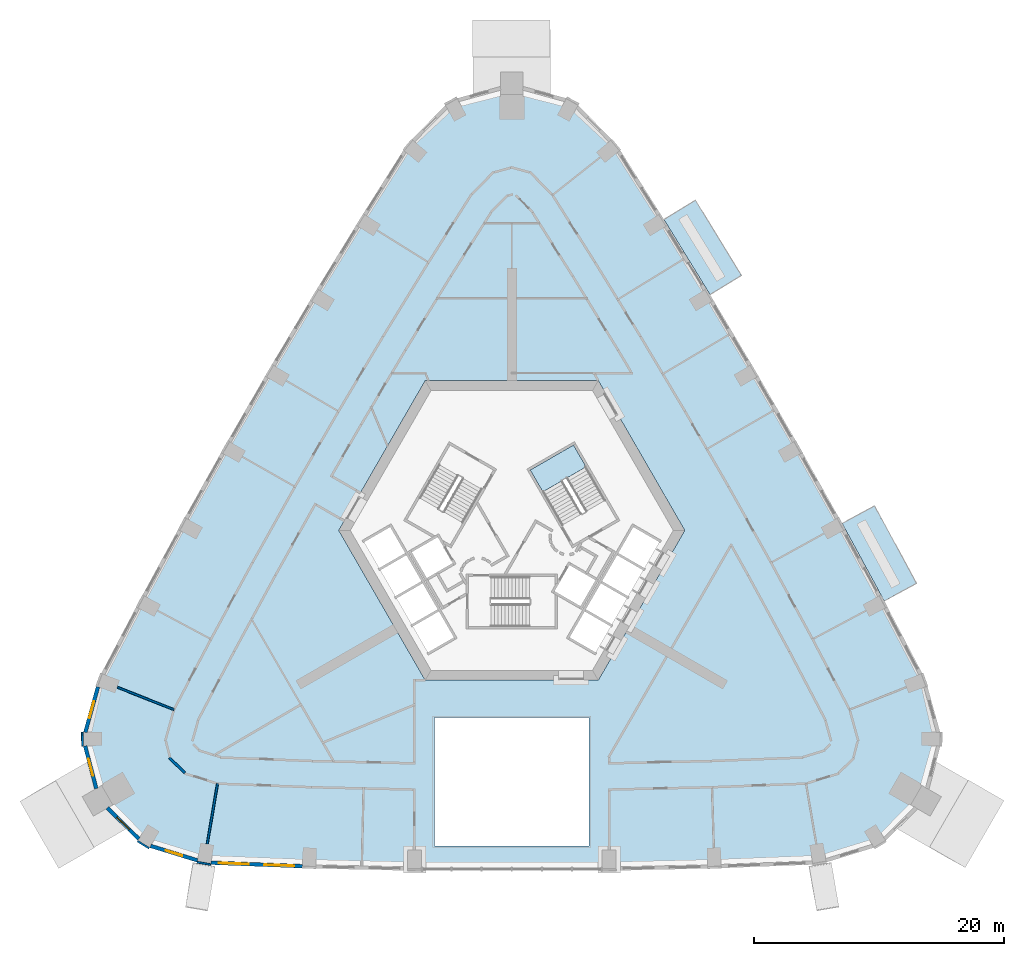
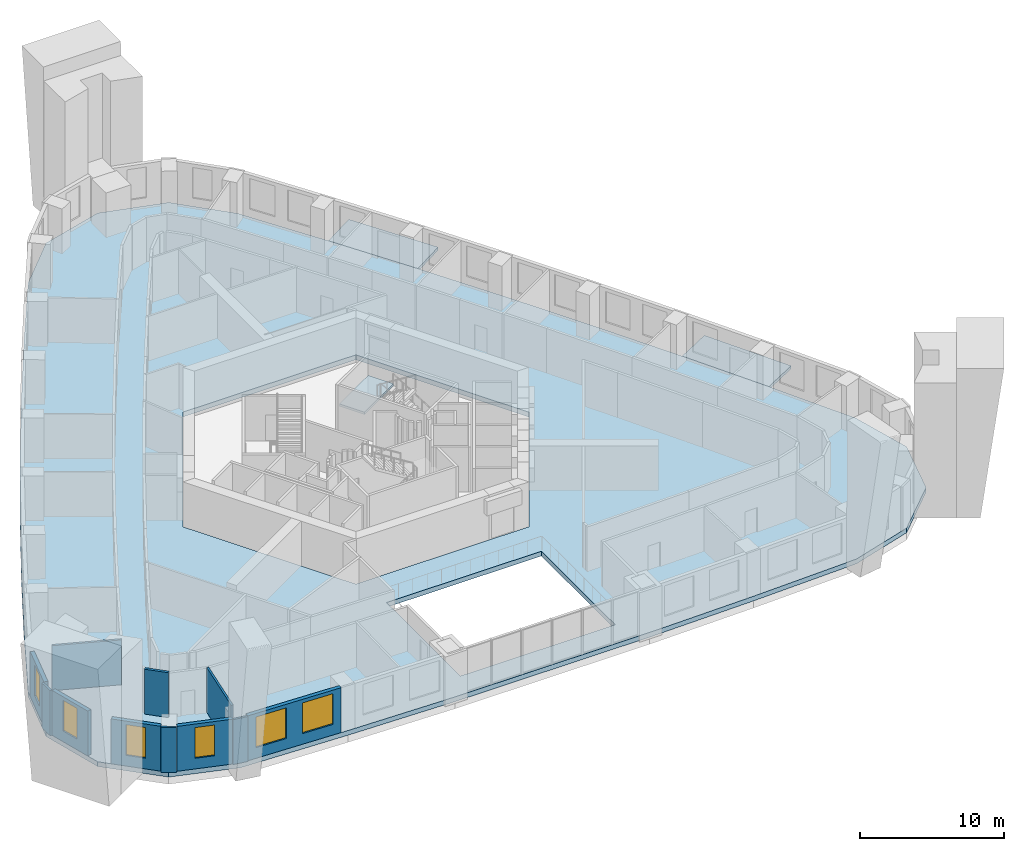
# One storey, part 3 of 15: 11 walls, 6 windows, 4 slabs, 6 openings, 1 element without a shape of its own.
"""IFC4 building model written with IfcOpenShell, lengths in metres."""

import ifcopenshell
import ifcopenshell.guid

model = None  # the IFC model being written
_history = None  # IfcOwnerHistory: only IFC2X3 demands one
_inside = {}  # id of a spatial element -> (the spatial element, [elements in it])
_under = {}  # id of a project, library or spatial element -> (it, [spatial elements below it])
_declared = {}  # id of a project -> (the project, [libraries it declares])
_typed = {}  # id of a type object -> (the type object, [elements of that type])
_made_of = {}  # id of a material, layer set ... -> (it, [elements and type objects made of it])


def new_model(schema):
    """Start an empty IFC model of exactly this schema.

    Asked for "IFC4X3", IfcOpenShell would pick the latest addendum, in which some entities
    have other attributes; the version numbers below select the first issue.
    IFC2X3 requires an IfcOwnerHistory on every rooted entity: one is made here for all.
    """
    global model, _history
    if schema == "IFC4X3":
        model = ifcopenshell.file(schema_version=(4, 3, 0, 0))
    else:
        model = ifcopenshell.file(schema=schema)
    _inside.clear()
    _under.clear()
    _declared.clear()
    _typed.clear()
    _made_of.clear()
    _history = None
    if model.schema == "IFC2X3":
        org = make("IfcOrganization", Name="unknown")
        user = make(
            "IfcPersonAndOrganization",
            ThePerson=make("IfcPerson", FamilyName="unknown"),
            TheOrganization=org,
        )
        app = make(
            "IfcApplication",
            ApplicationDeveloper=org,
            Version="unknown",
            ApplicationFullName="unknown",
            ApplicationIdentifier="unknown",
        )
        _history = make(
            "IfcOwnerHistory",
            OwningUser=user,
            OwningApplication=app,
            ChangeAction="ADDED",
            CreationDate=0,
        )
    return model


def make(cls, **values):
    """One entity of the class cls with the attributes given. An attribute that is None is left unset."""
    return model.create_entity(
        cls, **{name: value for name, value in values.items() if value is not None}
    )


def rooted(cls, **values):
    """An entity with a GlobalId (a new one), such as an element, a storey or a relation."""
    return make(cls, GlobalId=ifcopenshell.guid.new(), OwnerHistory=_history, **values)


def si_unit(unit_type, name, prefix=None):
    """IfcSIUnit, for example si_unit("LENGTHUNIT", "METRE", prefix="MILLI")."""
    return make("IfcSIUnit", UnitType=unit_type, Prefix=prefix, Name=name)


def assignment(units):
    """IfcUnitAssignment: the units of a project."""
    return None if units is None else make("IfcUnitAssignment", Units=units)


def point(xyz):
    """IfcCartesianPoint."""
    return None if xyz is None else make("IfcCartesianPoint", Coordinates=xyz)


def direction(xyz):
    """IfcDirection."""
    return None if xyz is None else make("IfcDirection", DirectionRatios=xyz)


def frame(location, z_axis=None, x_axis=None):
    """IfcAxis2Placement3D, a coordinate frame: its origin and axes. An axis left out is left unset."""
    return make(
        "IfcAxis2Placement3D",
        Location=point(location),
        Axis=direction(z_axis),
        RefDirection=direction(x_axis),
    )


def frame_2d(location, x_axis=None):
    """IfcAxis2Placement2D, a coordinate frame in the plane: its origin and x axis."""
    return make(
        "IfcAxis2Placement2D", Location=point(location), RefDirection=direction(x_axis)
    )


def origin():
    """The frame at (0, 0, 0) with its axes left unset."""
    return frame((0.0, 0.0, 0.0))


def place(relative_to, where):
    """IfcLocalPlacement: puts the frame where relative to a parent placement (None: the world)."""
    return make(
        "IfcLocalPlacement", PlacementRelTo=relative_to, RelativePlacement=where
    )


def context(
    kind, dimensions, precision=None, world=None, true_north=None, identifier=None
):
    """IfcGeometricRepresentationContext, for example the 3D "Model" context."""
    return make(
        "IfcGeometricRepresentationContext",
        ContextIdentifier=identifier,
        ContextType=kind,
        CoordinateSpaceDimension=dimensions,
        Precision=precision,
        WorldCoordinateSystem=world,
        TrueNorth=true_north,
    )


def subcontext(parent, identifier, kind, view, scale=None):
    """IfcGeometricRepresentationSubContext, for example "Body" below "Model"."""
    return make(
        "IfcGeometricRepresentationSubContext",
        ContextIdentifier=identifier,
        ContextType=kind,
        ParentContext=parent,
        TargetScale=scale,
        TargetView=view,
    )


def project(units=None, contexts=None):
    """IfcProject with its units and contexts."""
    return rooted(
        "IfcProject",
        Name="project",
        RepresentationContexts=contexts,
        UnitsInContext=assignment(units),
    )


def spatial(cls, under=None, at=None, **own):
    """A site, building, storey or space (cls), placed at a placement, below another one or the project."""
    s = rooted(cls, ObjectPlacement=at, **own)
    if under is not None:
        _under.setdefault(under.id(), (under, []))[1].append(s)
    return s


def polyline(points):
    """IfcPolyline through the points."""
    return make("IfcPolyline", Points=[point(p) for p in points])


def profile(cls, at=None, kind="AREA", **sizes):
    """A parametric profile (cls). Its sizes go by their IFC names, for example OverallWidth=200.0."""
    return make(cls, ProfileType=kind, Position=at, **sizes)


def rectangle(**sizes):
    """IfcRectangleProfileDef."""
    return profile("IfcRectangleProfileDef", **sizes)


def outline(outer, holes=None, kind="AREA"):
    """IfcArbitraryClosedProfileDef: a profile drawn as a closed curve; with holes, ...WithVoids."""
    if holes is None:
        return make("IfcArbitraryClosedProfileDef", ProfileType=kind, OuterCurve=outer)
    return make(
        "IfcArbitraryProfileDefWithVoids",
        ProfileType=kind,
        OuterCurve=outer,
        InnerCurves=holes,
    )


def extrude(swept, where, along, depth):
    """IfcExtrudedAreaSolid: the profile swept, set in the frame where, extruded along a direction by depth."""
    return make(
        "IfcExtrudedAreaSolid",
        SweptArea=swept,
        Position=where,
        ExtrudedDirection=direction(along),
        Depth=depth,
    )


def shape(context_of_items, identifier, shape_type, items):
    """IfcShapeRepresentation: the items that make up one representation, for example the "Body"."""
    return make(
        "IfcShapeRepresentation",
        ContextOfItems=context_of_items,
        RepresentationIdentifier=identifier,
        RepresentationType=shape_type,
        Items=items,
    )


def material(Name=None, Category=None):
    """IfcMaterial."""
    return make("IfcMaterial", Name=Name, Category=Category)


def layer(
    of_material, thickness, ventilated=None, Name=None, Category=None, Priority=None
):
    """IfcMaterialLayer: one layer of a wall or slab, of a material (None: an air gap)."""
    return make(
        "IfcMaterialLayer",
        Material=of_material,
        LayerThickness=thickness,
        IsVentilated=ventilated,
        Name=Name,
        Category=Category,
        Priority=Priority,
    )


def layer_set(layers, Name=None):
    """IfcMaterialLayerSet."""
    return make("IfcMaterialLayerSet", MaterialLayers=layers, LayerSetName=Name)


def made_of(thing, what):
    """Note that an element or type object is made of a material, layer set ...; save() writes the relation."""
    if what is not None:
        _made_of.setdefault(what.id(), (what, []))[1].append(thing)
    return thing


def type_object(cls, material=None, **own):
    """A type object (cls), such as IfcWallType, which elements share."""
    return made_of(rooted(cls, **own), material)


def element(
    cls,
    number,
    at=None,
    inside=None,
    cuts=None,
    type_object=None,
    material=None,
    context=None,
    identifier="Body",
    shape_type=None,
    held_by="IfcProductDefinitionShape",
    body=None,
    shapes=None,
    **own,
):
    """One element of the class cls, such as IfcWall. Its Tag is "e" and its number.

    at: its placement. inside: the storey or other place that contains it. cuts: it is an
    opening in that element (IfcRelVoidsElement). A single representation is given by context,
    identifier, shape_type and body (its items); several are given by shapes. held_by: the class
    of the entity that holds the representations. save() writes the other relations.
    """
    e = rooted(cls, Tag="e%d" % number, ObjectPlacement=at, **own)
    if body is not None:
        shapes = [shape(context, identifier, shape_type, body)]
    if shapes is not None:
        e.Representation = make(held_by, Representations=shapes)
    if inside is not None:
        _inside.setdefault(inside.id(), (inside, []))[1].append(e)
    if cuts is not None:
        rooted(
            "IfcRelVoidsElement", RelatingBuildingElement=cuts, RelatedOpeningElement=e
        )
    if type_object is not None:
        _typed.setdefault(type_object.id(), (type_object, []))[1].append(e)
    return made_of(e, material)


def fill(opening, filler):
    """IfcRelFillsElement: the door or window that sits in an opening."""
    return rooted(
        "IfcRelFillsElement",
        RelatingOpeningElement=opening,
        RelatedBuildingElement=filler,
    )


def aggregate(whole, parts):
    """IfcRelAggregates: a whole, such as a stair, and the parts it consists of."""
    return rooted("IfcRelAggregates", RelatingObject=whole, RelatedObjects=parts)


def save(model, path):
    """Write the relations noted so far, then the file.

    IfcRelAggregates (storeys below a building ...), IfcRelContainedInSpatialStructure (elements
    in a storey), IfcRelDefinesByType, IfcRelAssociatesMaterial and IfcRelDeclares: one each for
    every whole, place, type object, material and project.
    """
    for whole, parts in _under.values():
        aggregate(whole, parts)
    for where, things in _inside.values():
        rooted(
            "IfcRelContainedInSpatialStructure",
            RelatedElements=things,
            RelatingStructure=where,
        )
    for kind, things in _typed.values():
        rooted("IfcRelDefinesByType", RelatedObjects=things, RelatingType=kind)
    for what, things in _made_of.values():
        rooted("IfcRelAssociatesMaterial", RelatedObjects=things, RelatingMaterial=what)
    for by, libraries in _declared.values():
        rooted("IfcRelDeclares", RelatingContext=by, RelatedDefinitions=libraries)
    model.write(path)


model = new_model("IFC4")

# Units and contexts
model_context = context("Model", 3, precision=1e-05, world=origin(), true_north=direction((0.0, 1.0)))
body_context = subcontext(model_context, "Body", "Model", "MODEL_VIEW")
ifc_project = project(units=[si_unit("LENGTHUNIT", "METRE"), si_unit("AREAUNIT", "SQUARE_METRE"), si_unit("VOLUMEUNIT", "CUBIC_METRE"), si_unit("PLANEANGLEUNIT", "RADIAN"), si_unit("MASSUNIT", "GRAM", prefix="KILO")], contexts=[model_context])

# Site, building, storey
site_placement = place(None, origin())
site = spatial("IfcSite", under=ifc_project, at=site_placement, CompositionType="ELEMENT")
building_placement = place(site_placement, origin())
building = spatial("IfcBuilding", under=site, at=building_placement, Name="Entoto Arch Interchange Tower", CompositionType="ELEMENT")
storey_placement = place(building_placement, frame((0.0, 0.0, 150.800048828125)))
storey = spatial("IfcBuildingStorey", under=building, at=storey_placement, Name="L33", CompositionType="ELEMENT", Elevation=150.800048828125)

# Slabs
ifc_material_1 = material(Name="Board-marked precast concrete C50/60", Category="concrete")
ifc_layer_1 = layer(ifc_material_1, 0.25)
ifc_layer_set_1 = layer_set([ifc_layer_1], Name="Board-marked precast concrete C50/60")
slab_type_1 = type_object("IfcSlabType", Name="BALCONY DECK PRECAST 250", PredefinedType="FLOOR", material=ifc_layer_set_1)
slab_1_placement = place(storey_placement, frame((0.0, 0.0, -0.25)))
element("IfcSlab", 1, at=slab_1_placement, inside=storey, type_object=slab_type_1, Name="Planted balcony NE-02 L33", PredefinedType="FLOOR", context=body_context, shape_type="SweptSolid", body=[
    extrude(outline(polyline([(29.827880859375, -3.14794921875), (26.4619140625, 3.055908203125), (29.054931640625, 4.462890625), (32.4208984375, -1.740966796875), (29.827880859375, -3.14794921875)])), origin(), (0.0, 0.0, 1.0), 0.25),
])
slab_2_placement = place(storey_placement, frame((0.0, 0.0, -0.25)))
element("IfcSlab", 2, at=slab_2_placement, inside=storey, type_object=slab_type_1, Name="Planted balcony NE-06 L33", PredefinedType="FLOOR", context=body_context, shape_type="SweptSolid", body=[
    extrude(outline(polyline([(15.876953125, 21.388916015625), (12.18798828125, 27.405029296875), (14.702880859375, 28.947021484375), (18.39208984375, 22.930908203125), (15.876953125, 21.388916015625)])), origin(), (0.0, 0.0, 1.0), 0.25),
])

# Stair, slab
ifc_material_2 = material(Name="Concrete C40/50", Category="concrete")
stair_type = type_object("IfcStairType", Name="EXIT STAIR RC 1800", PredefinedType="HALF_TURN_STAIR", material=ifc_material_2)
stair_placement = place(storey_placement, origin())
stair = element("IfcStair", 3, at=stair_placement, inside=storey, type_object=stair_type, Name="L33 Exit stair NE", PredefinedType="HALF_TURN_STAIR")
ifc_layer_2 = layer(ifc_material_2, 0.199951171875)
ifc_layer_set_2 = layer_set([ifc_layer_2], Name="Concrete C40/50")
slab_type_2 = type_object("IfcSlabType", Name="EXIT STAIR LANDING RC 200", PredefinedType="LANDING", material=ifc_layer_set_2)
slab_3_placement = place(storey_placement, frame((0.0, 0.0, 1.89990234375)))
slab_3 = element("IfcSlab", 4, at=slab_3_placement, type_object=slab_type_2, Name="ST-NE landing 1", PredefinedType="LANDING", context=body_context, shape_type="SweptSolid", body=[
    extrude(outline(polyline([(5.953369140625, 7.58837890625), (4.943359375, 9.337890625), (1.479248046875, 7.337890625), (2.4892578125, 5.58837890625), (5.953369140625, 7.58837890625)])), origin(), (0.0, 0.0, 1.0), 0.199951171875),
])
aggregate(stair, [slab_3])

# Slab
ifc_layer_3 = layer(ifc_material_2, 0.39990234375)
ifc_layer_set_3 = layer_set([ifc_layer_3], Name="Concrete C40/50")
slab_type_3 = type_object("IfcSlabType", Name="Post-tensioned flat plate 400 C40/50", PredefinedType="FLOOR", material=ifc_layer_set_3)
slab_4_placement = place(storey_placement, frame((0.0, 0.0, -0.400146484375)))
element("IfcSlab", 5, at=slab_4_placement, inside=storey, type_object=slab_type_3, Name="Floor slab L33", PredefinedType="FLOOR", context=body_context, shape_type="SweptSolid", body=[
    extrude(outline(polyline([(-24.6689453125, -24.241943359375), (-16.23388671875, -24.56591796875), (-7.800048828125, -24.757080078125), (7.800048828125, -24.757080078125), (16.23388671875, -24.56591796875), (24.6689453125, -24.241943359375), (29.551025390625, -22.735107421875), (33.179931640625, -19.156005859375), (34.465087890625, -14.22412109375), (33.135986328125, -9.446044921875), (29.827880859375, -3.14794921875), (26.4619140625, 3.055908203125), (23.014892578125, 9.214111328125), (19.486083984375, 15.324951171875), (15.876953125, 21.388916015625), (12.18798828125, 27.405029296875), (8.386962890625, 33.419921875), (4.9140625, 36.958984375), (0.0, 38.31201171875), (-4.9140625, 36.958984375), (-8.386962890625, 33.419921875), (-12.18798828125, 27.405029296875), (-15.876953125, 21.388916015625), (-19.486083984375, 15.324951171875), (-23.014892578125, 9.214111328125), (-26.4619140625, 3.055908203125), (-29.827880859375, -3.14794921875), (-33.135986328125, -9.446044921875), (-34.465087890625, -14.22412109375), (-33.179931640625, -19.156005859375), (-29.551025390625, -22.735107421875), (-24.6689453125, -24.241943359375)]), holes=[polyline([(6.199951171875, -22.757080078125), (6.199951171875, -12.5), (-6.199951171875, -12.5), (-6.199951171875, -22.757080078125), (6.199951171875, -22.757080078125)]), polyline([(13.85595703125, 2.5), (6.927978515625, 14.5), (-6.927978515625, 14.5), (-13.85595703125, 2.5), (-6.927978515625, -9.5), (6.927978515625, -9.5), (13.85595703125, 2.5)])]), origin(), (0.0, 0.0, 1.0), 0.400146484375),
])

# Walls
ifc_material_3 = material(Name="Gypsum board partition on steel studs", Category="steel")
ifc_layer_4 = layer(ifc_material_3, 0.14990234375)
ifc_layer_set_4 = layer_set([ifc_layer_4], Name="Gypsum board partition on steel studs")
wall_type_1 = type_object("IfcWallType", Name="PARTITION 150", PredefinedType="PARTITIONING", material=ifc_layer_set_4)
wall_1_placement = place(storey_placement, frame((-27.05908203125, -11.85498046875, 0.0), z_axis=(0.0, 0.0, 1.0), x_axis=(-0.92964843089, 0.368447818481, 0.0)))
element("IfcWall", 6, at=wall_1_placement, inside=storey, type_object=wall_type_1, Name="wall:L33:p136", PredefinedType="PARTITIONING", context=body_context, shape_type="SweptSolid", body=[
    extrude(rectangle(XDim=4.8662109375, YDim=0.14990234375, at=frame_2d((2.43310546875, 0.0))), origin(), (0.0, 0.0, 1.0), 3.800048828125),
])
wall_2_placement = place(storey_placement, frame((-23.56689453125, -17.779052734375, 0.0), z_axis=(0.0, 0.0, 1.0), x_axis=(-0.168027663896, -0.985782280306, 0.0)))
element("IfcWall", 7, at=wall_2_placement, inside=storey, type_object=wall_type_1, Name="wall:L33:p137", PredefinedType="PARTITIONING", context=body_context, shape_type="SweptSolid", body=[
    extrude(rectangle(XDim=4.886474609375, YDim=0.14990234375, at=frame_2d((2.443359375, 0.0))), origin(), (0.0, 0.0, 1.0), 3.800048828125),
])
ifc_layer_5 = layer(ifc_material_3, 0.199951171875)
ifc_layer_set_5 = layer_set([ifc_layer_5], Name="Gypsum board partition on steel studs")
wall_type_2 = type_object("IfcWallType", Name="PARTITION 200", PredefinedType="PARTITIONING", material=ifc_layer_set_5)
wall_3_placement = place(storey_placement, frame((-26.18798828125, -16.922119140625, 0.0), z_axis=(0.0, 0.0, 1.0), x_axis=(-0.712339678389, 0.701834868465, 0.0)))
element("IfcWall", 8, at=wall_3_placement, inside=storey, type_object=wall_type_2, Name="wall:L33:p068", PredefinedType="PARTITIONING", context=body_context, shape_type="SweptSolid", body=[
    extrude(rectangle(XDim=1.7197265625, YDim=0.199951171875, at=frame_2d((0.85986328125, 0.0))), origin(), (0.0, 0.0, 1.0), 3.800048828125),
])

# Wall, openings, windows
ifc_material_4 = material(Name="Welded tuff (ignimbrite) cladding, warm buff", Category="masonry")
ifc_layer_6 = layer(ifc_material_4, 0.300048828125)
ifc_layer_set_6 = layer_set([ifc_layer_6], Name="Welded tuff (ignimbrite) cladding, warm buff")
wall_type_3 = type_object("IfcWallType", Name="STONE INFILL WALL 300", PredefinedType="STANDARD", material=ifc_layer_set_6)
wall_4_placement = place(storey_placement, frame((-24.090087890625, -24.114013671875, 0.0), z_axis=(0.0, 0.0, 1.0), x_axis=(0.999262356942, -0.038402369711, 0.0)))
wall_4 = element("IfcWall", 9, at=wall_4_placement, inside=storey, type_object=wall_type_3, Name="Facade wall S-01 L33", PredefinedType="STANDARD", context=body_context, shape_type="SweptSolid", body=[
    extrude(rectangle(XDim=7.3173828125, YDim=0.300048828125, at=frame_2d((3.65869140625, 0.0))), origin(), (0.0, 0.0, 1.0), 3.800048828125),
])
opening_1_placement = place(wall_4_placement, frame((0.62890625, 0.0, 0.89990234375)))
opening_1 = element("IfcOpeningElement", 10, at=opening_1_placement, cuts=wall_4, Name="Opening WO-A", PredefinedType="OPENING", context=body_context, shape_type="SweptSolid", body=[
    extrude(rectangle(XDim=2.39990234375, YDim=2.60009765625, at=frame_2d((1.199951171875, 1.300048828125))), frame((0.0, 0.16015625, 0.0), z_axis=(0.0, -1.0, 0.0), x_axis=(1.0, 0.0, 0.0)), (0.0, 0.0, 1.0), 0.320068359375),
])
opening_2_placement = place(wall_4_placement, frame((4.2880859375, 0.0, 0.89990234375)))
opening_2 = element("IfcOpeningElement", 11, at=opening_2_placement, cuts=wall_4, Name="Opening WO-A", PredefinedType="OPENING", context=body_context, shape_type="SweptSolid", body=[
    extrude(rectangle(XDim=2.39990234375, YDim=2.60009765625, at=frame_2d((1.199951171875, 1.300048828125))), frame((0.0, 0.16015625, 0.0), z_axis=(0.0, -1.0, 0.0), x_axis=(1.0, 0.0, 0.0)), (0.0, 0.0, 1.0), 0.320068359375),
])
ifc_material_5 = material(Name="Clear glass, low-e double glazed", Category="glass")
window_type_1 = type_object("IfcWindowType", Name="WINDOW WO-A 2400x2600", PartitioningType="DOUBLE_PANEL_VERTICAL", PredefinedType="WINDOW", material=ifc_material_5)
window_1_placement = place(opening_1_placement, origin())
window_1 = element("IfcWindow", 12, at=window_1_placement, inside=storey, type_object=window_type_1, Name="Window WO-A S-01 L33", OverallHeight=2.60009765625, OverallWidth=2.39990234375, PartitioningType="SINGLE_PANEL", PredefinedType="WINDOW", context=body_context, shape_type="SweptSolid", body=[
    extrude(rectangle(XDim=2.39990234375, YDim=2.60009765625, at=frame_2d((1.199951171875, 1.300048828125))), frame((0.0, 0.030029296875, 0.0), z_axis=(0.0, -1.0, 0.0), x_axis=(1.0, 0.0, 0.0)), (0.0, 0.0, 1.0), 0.06005859375),
])
fill(opening_1, window_1)
window_2_placement = place(opening_2_placement, origin())
window_2 = element("IfcWindow", 13, at=window_2_placement, inside=storey, type_object=window_type_1, Name="Window WO-A S-01 L33", OverallHeight=2.60009765625, OverallWidth=2.39990234375, PartitioningType="SINGLE_PANEL", PredefinedType="WINDOW", context=body_context, shape_type="SweptSolid", body=[
    extrude(rectangle(XDim=2.39990234375, YDim=2.60009765625, at=frame_2d((1.199951171875, 1.300048828125))), frame((0.0, 0.030029296875, 0.0), z_axis=(0.0, -1.0, 0.0), x_axis=(1.0, 0.0, 0.0)), (0.0, 0.0, 1.0), 0.06005859375),
])
fill(opening_2, window_2)

# Wall, opening, window
wall_5_placement = place(storey_placement, frame((-33.14208984375, -10.029052734375, 0.0), z_axis=(0.0, 0.0, 1.0), x_axis=(-0.26799398221, -0.963420585985, 0.0)))
wall_5 = element("IfcWall", 14, at=wall_5_placement, inside=storey, type_object=wall_type_3, Name="Facade wall SW-01 L33", PredefinedType="STANDARD", context=body_context, shape_type="SweptSolid", body=[
    extrude(rectangle(XDim=3.776123046875, YDim=0.300048828125, at=frame_2d((1.88818359375, 0.0))), origin(), (0.0, 0.0, 1.0), 3.800048828125),
])
opening_3_placement = place(wall_5_placement, frame((1.18798828125, 0.0, 0.89990234375)))
opening_3 = element("IfcOpeningElement", 15, at=opening_3_placement, cuts=wall_5, Name="Opening WO-B", PredefinedType="OPENING", context=body_context, shape_type="SweptSolid", body=[
    extrude(rectangle(XDim=1.39990234375, YDim=2.60009765625, at=frame_2d((0.699951171875, 1.300048828125))), frame((0.0, 0.16015625, 0.0), z_axis=(0.0, -1.0, 0.0), x_axis=(1.0, 0.0, 0.0)), (0.0, 0.0, 1.0), 0.320068359375),
])
window_type_2 = type_object("IfcWindowType", Name="WINDOW WO-B 1400x2600", PartitioningType="DOUBLE_PANEL_VERTICAL", PredefinedType="WINDOW", material=ifc_material_5)
window_3_placement = place(opening_3_placement, origin())
window_3 = element("IfcWindow", 16, at=window_3_placement, inside=storey, type_object=window_type_2, Name="Window WO-B SW-01 L33", OverallHeight=2.60009765625, OverallWidth=1.39990234375, PartitioningType="SINGLE_PANEL", PredefinedType="WINDOW", context=body_context, shape_type="SweptSolid", body=[
    extrude(rectangle(XDim=1.39990234375, YDim=2.60009765625, at=frame_2d((0.699951171875, 1.300048828125))), frame((0.0, 0.030029296875, 0.0), z_axis=(0.0, -1.0, 0.0), x_axis=(1.0, 0.0, 0.0)), (0.0, 0.0, 1.0), 0.06005859375),
])
fill(opening_3, window_3)

wall_6_placement = place(storey_placement, frame((-34.1689453125, -14.76611328125, 0.0), z_axis=(0.0, 0.0, 1.0), x_axis=(0.252255494168, -0.967660666588, 0.0)))
wall_6 = element("IfcWall", 17, at=wall_6_placement, inside=storey, type_object=wall_type_3, Name="Facade wall SW-02 L33", PredefinedType="STANDARD", context=body_context, shape_type="SweptSolid", body=[
    extrude(rectangle(XDim=3.52392578125, YDim=0.300048828125, at=frame_2d((1.761962890625, 0.0))), origin(), (0.0, 0.0, 1.0), 3.800048828125),
])
opening_4_placement = place(wall_6_placement, frame((1.06201171875, 0.0, 0.89990234375)))
opening_4 = element("IfcOpeningElement", 18, at=opening_4_placement, cuts=wall_6, Name="Opening WO-B", PredefinedType="OPENING", context=body_context, shape_type="SweptSolid", body=[
    extrude(rectangle(XDim=1.39990234375, YDim=2.60009765625, at=frame_2d((0.699951171875, 1.300048828125))), frame((0.0, 0.16015625, 0.0), z_axis=(0.0, -1.0, 0.0), x_axis=(1.0, 0.0, 0.0)), (0.0, 0.0, 1.0), 0.320068359375),
])
window_4_placement = place(opening_4_placement, origin())
window_4 = element("IfcWindow", 19, at=window_4_placement, inside=storey, type_object=window_type_2, Name="Window WO-B SW-02 L33", OverallHeight=2.60009765625, OverallWidth=1.39990234375, PartitioningType="SINGLE_PANEL", PredefinedType="WINDOW", context=body_context, shape_type="SweptSolid", body=[
    extrude(rectangle(XDim=1.39990234375, YDim=2.60009765625, at=frame_2d((0.699951171875, 1.300048828125))), frame((0.0, 0.030029296875, 0.0), z_axis=(0.0, -1.0, 0.0), x_axis=(1.0, 0.0, 0.0)), (0.0, 0.0, 1.0), 0.06005859375),
])
fill(opening_4, window_4)

wall_7_placement = place(storey_placement, frame((-32.381103515625, -19.73291015625, 0.0), z_axis=(0.0, 0.0, 1.0), x_axis=(0.712043314899, -0.702135540838, 0.0)))
wall_7 = element("IfcWall", 20, at=wall_7_placement, inside=storey, type_object=wall_type_3, Name="Facade wall SW-03 L33", PredefinedType="STANDARD", context=body_context, shape_type="SweptSolid", body=[
    extrude(rectangle(XDim=3.523681640625, YDim=0.300048828125, at=frame_2d((1.76171875, 0.0))), origin(), (0.0, 0.0, 1.0), 3.800048828125),
])
opening_5_placement = place(wall_7_placement, frame((1.06201171875, 0.0, 0.89990234375)))
opening_5 = element("IfcOpeningElement", 21, at=opening_5_placement, cuts=wall_7, Name="Opening WO-B", PredefinedType="OPENING", context=body_context, shape_type="SweptSolid", body=[
    extrude(rectangle(XDim=1.39990234375, YDim=2.60009765625, at=frame_2d((0.699951171875, 1.300048828125))), frame((0.0, 0.16015625, 0.0), z_axis=(0.0, -1.0, 0.0), x_axis=(1.0, 0.0, 0.0)), (0.0, 0.0, 1.0), 0.320068359375),
])
window_5_placement = place(opening_5_placement, origin())
window_5 = element("IfcWindow", 22, at=window_5_placement, inside=storey, type_object=window_type_2, Name="Window WO-B SW-03 L33", OverallHeight=2.60009765625, OverallWidth=1.39990234375, PartitioningType="SINGLE_PANEL", PredefinedType="WINDOW", context=body_context, shape_type="SweptSolid", body=[
    extrude(rectangle(XDim=1.39990234375, YDim=2.60009765625, at=frame_2d((0.699951171875, 1.300048828125))), frame((0.0, 0.030029296875, 0.0), z_axis=(0.0, -1.0, 0.0), x_axis=(1.0, 0.0, 0.0)), (0.0, 0.0, 1.0), 0.06005859375),
])
fill(opening_5, window_5)

wall_8_placement = place(storey_placement, frame((-28.928955078125, -22.77001953125, 0.0), z_axis=(0.0, 0.0, 1.0), x_axis=(0.955473661147, -0.295076401723, 0.0)))
wall_8 = element("IfcWall", 23, at=wall_8_placement, inside=storey, type_object=wall_type_3, Name="Facade wall SW-04 L33", PredefinedType="STANDARD", context=body_context, shape_type="SweptSolid", body=[
    extrude(rectangle(XDim=3.930908203125, YDim=0.300048828125, at=frame_2d((1.96533203125, 0.0))), origin(), (0.0, 0.0, 1.0), 3.800048828125),
])
opening_6_placement = place(wall_8_placement, frame((1.26611328125, 0.0, 0.89990234375)))
opening_6 = element("IfcOpeningElement", 24, at=opening_6_placement, cuts=wall_8, Name="Opening WO-B", PredefinedType="OPENING", context=body_context, shape_type="SweptSolid", body=[
    extrude(rectangle(XDim=1.39990234375, YDim=2.60009765625, at=frame_2d((0.699951171875, 1.300048828125))), frame((0.0, 0.16015625, 0.0), z_axis=(0.0, -1.0, 0.0), x_axis=(1.0, 0.0, 0.0)), (0.0, 0.0, 1.0), 0.320068359375),
])
window_6_placement = place(opening_6_placement, origin())
window_6 = element("IfcWindow", 25, at=window_6_placement, inside=storey, type_object=window_type_2, Name="Window WO-B SW-04 L33", OverallHeight=2.60009765625, OverallWidth=1.39990234375, PartitioningType="SINGLE_PANEL", PredefinedType="WINDOW", context=body_context, shape_type="SweptSolid", body=[
    extrude(rectangle(XDim=1.39990234375, YDim=2.60009765625, at=frame_2d((0.699951171875, 1.300048828125))), frame((0.0, 0.030029296875, 0.0), z_axis=(0.0, -1.0, 0.0), x_axis=(1.0, 0.0, 0.0)), (0.0, 0.0, 1.0), 0.06005859375),
])
fill(opening_6, window_6)

# Walls
ifc_layer_7 = layer(ifc_material_4, 0.14990234375)
ifc_layer_set_7 = layer_set([ifc_layer_7], Name="Welded tuff (ignimbrite) cladding, warm buff")
wall_type_4 = type_object("IfcWallType", Name="STONE PIER CLADDING 150", PredefinedType="STANDARD", material=ifc_layer_set_7)
wall_9_placement = place(storey_placement, frame((-25.198974609375, -24.075927734375, 0.0), z_axis=(0.0, 0.0, 1.0), x_axis=(0.985763338892, -0.168138751323, 0.0)))
element("IfcWall", 26, at=wall_9_placement, inside=storey, type_object=wall_type_4, Name="Stone pier S01 L33", PredefinedType="STANDARD", context=body_context, shape_type="SweptSolid", body=[
    extrude(rectangle(XDim=1.1005859375, YDim=0.14990234375, at=frame_2d((0.55029296875, 0.0))), origin(), (0.0, 0.0, 1.0), 3.800048828125),
])
wall_10_placement = place(storey_placement, frame((-34.403076171875, -13.672119140625, 0.0), z_axis=(0.0, 0.0, 1.0), x_axis=(0.023744690764, -0.999718055084, 0.0)))
element("IfcWall", 27, at=wall_10_placement, inside=storey, type_object=wall_type_4, Name="Stone pier SW1 L33", PredefinedType="STANDARD", context=body_context, shape_type="SweptSolid", body=[
    extrude(rectangle(XDim=1.10009765625, YDim=0.14990234375, at=frame_2d((0.550048828125, 0.0))), origin(), (0.0, 0.0, 1.0), 3.800048828125),
])
wall_11_placement = place(storey_placement, frame((-29.98095703125, -22.385009765625, 0.0), z_axis=(0.0, 0.0, 1.0), x_axis=(0.854005542721, -0.520263907071, 0.0)))
element("IfcWall", 28, at=wall_11_placement, inside=storey, type_object=wall_type_4, Name="Stone pier SW3 L33", PredefinedType="STANDARD", context=body_context, shape_type="SweptSolid", body=[
    extrude(rectangle(XDim=1.099365234375, YDim=0.14990234375, at=frame_2d((0.5498046875, 0.0))), origin(), (0.0, 0.0, 1.0), 3.800048828125),
])

save(model, "model.ifc")
